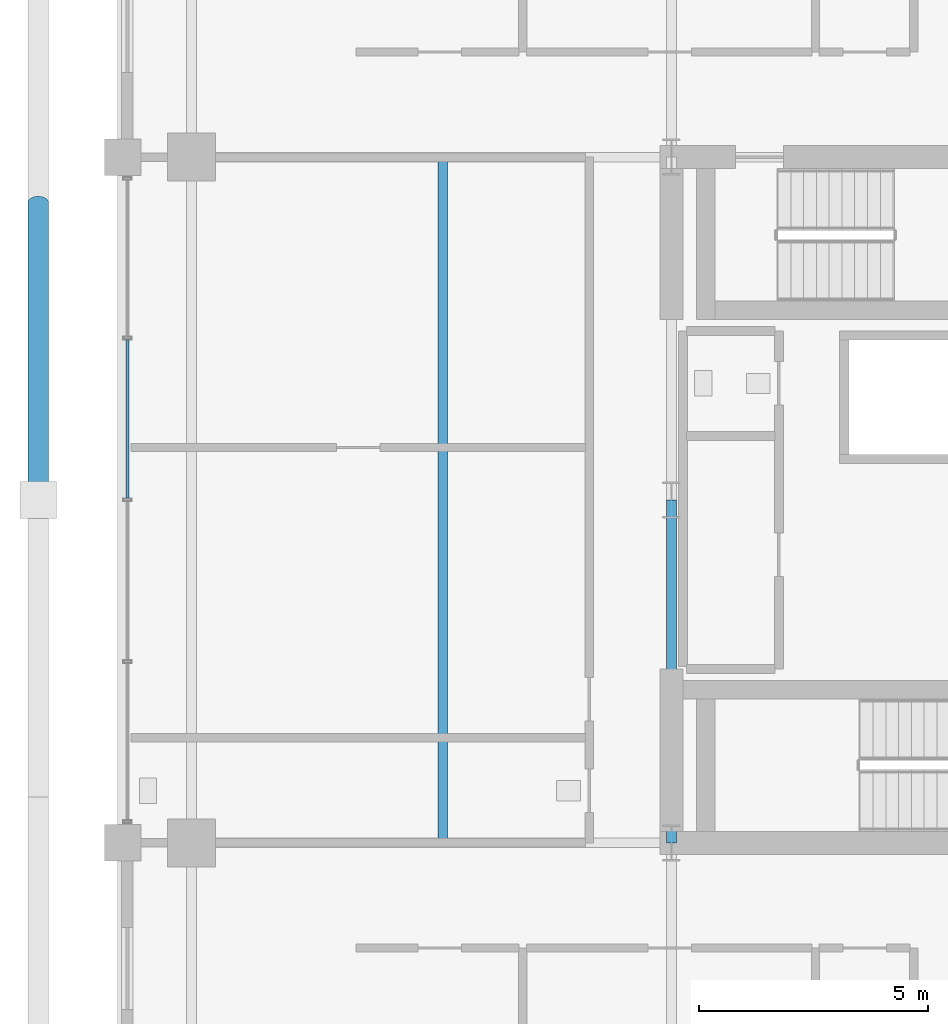
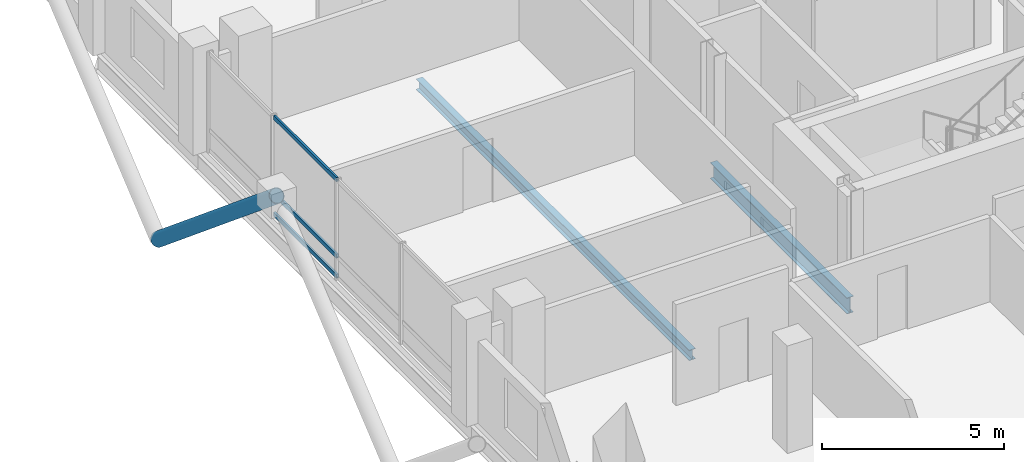
# One storey, part 7 of 23: 4 members, 2 beams, 1 element without a shape of its own.
"""IFC4 building model written with IfcOpenShell, lengths in metres."""

from ifc_helpers import new_model, si_unit, direction, frame, origin, origin_2d, place, context, subcontext, project, spatial, hollow_rectangle, hollow_circle, i_section, extrude, material, layer, layer_set, material_profile, profile_set, type_object, element, aggregate, save


model = new_model("IFC4")

# Units and contexts
model_context = context("Model", 3, precision=1e-05, world=origin(), true_north=direction((0.0, 1.0)))
body_context = subcontext(model_context, "Body", "Model", "MODEL_VIEW")
ifc_project = project(units=[si_unit("LENGTHUNIT", "METRE"), si_unit("AREAUNIT", "SQUARE_METRE"), si_unit("VOLUMEUNIT", "CUBIC_METRE"), si_unit("PLANEANGLEUNIT", "RADIAN"), si_unit("MASSUNIT", "GRAM", prefix="KILO")], contexts=[model_context])

# Site, building, storey
site_placement = place(None, origin())
site = spatial("IfcSite", under=ifc_project, at=site_placement, CompositionType="ELEMENT")
building_placement = place(site_placement, origin())
building = spatial("IfcBuilding", under=site, at=building_placement, Name="Barlavira Tower and Art Museum", CompositionType="ELEMENT")
storey_placement = place(building_placement, frame((0.0, 0.0, 205.199951171875)))
storey = spatial("IfcBuildingStorey", under=building, at=storey_placement, Name="L53", CompositionType="ELEMENT", Elevation=205.199951171875)

# Curtain wall, members
ifc_material_1 = material(Name="Low-iron coastal laminated glass", Category="glass")
ifc_layer = layer(ifc_material_1, 0.199951171875, Name="Low-iron coastal laminated glass")
ifc_layer_set = layer_set([ifc_layer], Name="Low-iron coastal laminated glass")
curtain_wall_type = type_object("IfcCurtainWallType", Name="Pale-Metal Unitised Curtain Wall Zone 3", PredefinedType="NOTDEFINED", material=ifc_layer_set)
curtain_wall_placement = place(storey_placement, origin())
curtain_wall = element("IfcCurtainWall", 1, at=curtain_wall_placement, inside=storey, type_object=curtain_wall_type, Name="L53 Curtain Wall CW3-L53-W-B3", PredefinedType="NOTDEFINED")
ifc_material_2 = material(Name="Pale anodised aluminium", Category="aluminium")
ifc_material_profile_1 = material_profile(ifc_material_2, hollow_rectangle(XDim=0.06494140625, YDim=0.139892578125, WallThickness=0.00390625, at=origin_2d()), Name="ALU-TRAN 65x140x4")
ifc_profile_set_1 = profile_set([ifc_material_profile_1], Name="Pale anodised aluminium")
member_type_1 = type_object("IfcMemberType", Name="Curtain Wall Pale-Metal Transom 65x140", PredefinedType="USERDEFINED", material=ifc_profile_set_1)
member_1_placement = place(storey_placement, frame((-18.39990234375, 3.4951171875, 0.070068359375), z_axis=(0.0, -1.0, 0.0), x_axis=(1.0, 0.0, 0.0)))
member_1 = element("IfcMember", 2, at=member_1_placement, type_object=member_type_1, Name="CW3-L53-W-B3 Transom 1.1", ObjectType="TRANSOM", PredefinedType="USERDEFINED", context=body_context, shape_type="SweptSolid", body=[
    extrude(hollow_rectangle(XDim=0.06494140625, YDim=0.139892578125, WallThickness=0.00390625, at=origin_2d()), origin(), (0.0, 0.0, 1.0), 3.4501953125),
])
member_2_placement = place(storey_placement, frame((-18.39990234375, 3.4951171875, 0.744140625), z_axis=(0.0, -1.0, 0.0), x_axis=(1.0, 0.0, 0.0)))
member_2 = element("IfcMember", 3, at=member_2_placement, type_object=member_type_1, Name="CW3-L53-W-B3 Transom 1.2", ObjectType="TRANSOM", PredefinedType="USERDEFINED", context=body_context, shape_type="SweptSolid", body=[
    extrude(hollow_rectangle(XDim=0.06494140625, YDim=0.139892578125, WallThickness=0.00390625, at=origin_2d()), origin(), (0.0, 0.0, 1.0), 3.4501953125),
])
member_3_placement = place(storey_placement, frame((-18.39990234375, 3.4951171875, 3.31005859375), z_axis=(0.0, -1.0, 0.0), x_axis=(1.0, 0.0, 0.0)))
member_3 = element("IfcMember", 4, at=member_3_placement, type_object=member_type_1, Name="CW3-L53-W-B3 Transom 1.3", ObjectType="TRANSOM", PredefinedType="USERDEFINED", context=body_context, shape_type="SweptSolid", body=[
    extrude(hollow_rectangle(XDim=0.06494140625, YDim=0.139892578125, WallThickness=0.00390625, at=origin_2d()), origin(), (0.0, 0.0, 1.0), 3.4501953125),
])
aggregate(curtain_wall, [member_1, member_2, member_3])

# Member
ifc_material_3 = material(Name="Steel S355", Category="steel")
ifc_material_profile_2 = material_profile(ifc_material_3, hollow_circle(Radius=0.228515625, WallThickness=0.02001953125, at=origin_2d()), Name="CHS 457.0x20.0")
ifc_profile_set_2 = profile_set([ifc_material_profile_2], Name="Steel S355")
member_type_2 = type_object("IfcMemberType", Name="Pale-Metal Exoskeleton Diagrid Tube CHS 457x20 Steel S355", PredefinedType="BRACE", material=ifc_profile_set_2)
member_4_placement = place(storey_placement, frame((-20.35009765625, 6.5, -1.919921875), z_axis=(0.0, -0.769196053329, 0.639012857104), x_axis=(1.0, 0.0, 0.0)))
element("IfcMember", 5, at=member_4_placement, inside=storey, type_object=member_type_2, Name="L53 Exoskeleton Diagrid Tube W", PredefinedType="BRACE", context=body_context, shape_type="SweptSolid", body=[
    extrude(hollow_circle(Radius=0.228515625, WallThickness=0.02001953125, at=origin_2d()), origin(), (0.0, 0.0, 1.0), 8.450439453125),
])

# Beams
ifc_material_profile_3 = material_profile(ifc_material_3, i_section(OverallWidth=0.205078125, OverallDepth=0.35400390625, WebThickness=0.009521484375, FlangeThickness=0.016845703125, at=origin_2d()), Name="W360x79.0")
ifc_profile_set_3 = profile_set([ifc_material_profile_3], Name="Steel S355")
beam_type_1 = type_object("IfcBeamType", Name="Zone 3 Composite Floor Joist W360x79 Steel S355", PredefinedType="JOIST", material=ifc_profile_set_3)
beam_1_placement = place(storey_placement, frame((-11.5, -7.5, -0.39697265625), z_axis=(0.0, 1.0, 0.0), x_axis=(-1.0, 0.0, 0.0)))
element("IfcBeam", 6, at=beam_1_placement, inside=storey, type_object=beam_type_1, Name="L53 Joist W1", PredefinedType="JOIST", context=body_context, shape_type="SweptSolid", body=[
    extrude(i_section(OverallWidth=0.205078125, OverallDepth=0.35400390625, WebThickness=0.009521484375, FlangeThickness=0.016845703125, at=origin_2d()), origin(), (0.0, 0.0, 1.0), 15.0),
])
ifc_material_profile_4 = material_profile(ifc_material_3, i_section(OverallWidth=0.2109375, OverallDepth=0.5390625, WebThickness=0.01171875, FlangeThickness=0.018798828125, at=origin_2d()), Name="W530x109.0")
ifc_profile_set_4 = profile_set([ifc_material_profile_4], Name="Steel S355")
beam_type_2 = type_object("IfcBeamType", Name="Zone 3-4 Primary Floor Girder W530x109 Steel S355", PredefinedType="BEAM", material=ifc_profile_set_4)
beam_2_placement = place(storey_placement, frame((-6.5, -7.5, -0.489501953125), z_axis=(0.0, 1.0, 0.0), x_axis=(-1.0, 0.0, 0.0)))
element("IfcBeam", 7, at=beam_2_placement, inside=storey, type_object=beam_type_2, Name="L53 Girder C-W1", PredefinedType="BEAM", context=body_context, shape_type="SweptSolid", body=[
    extrude(i_section(OverallWidth=0.2109375, OverallDepth=0.5390625, WebThickness=0.01171875, FlangeThickness=0.018798828125, at=origin_2d()), origin(), (0.0, 0.0, 1.0), 7.5),
])

save(model, "model.ifc")
